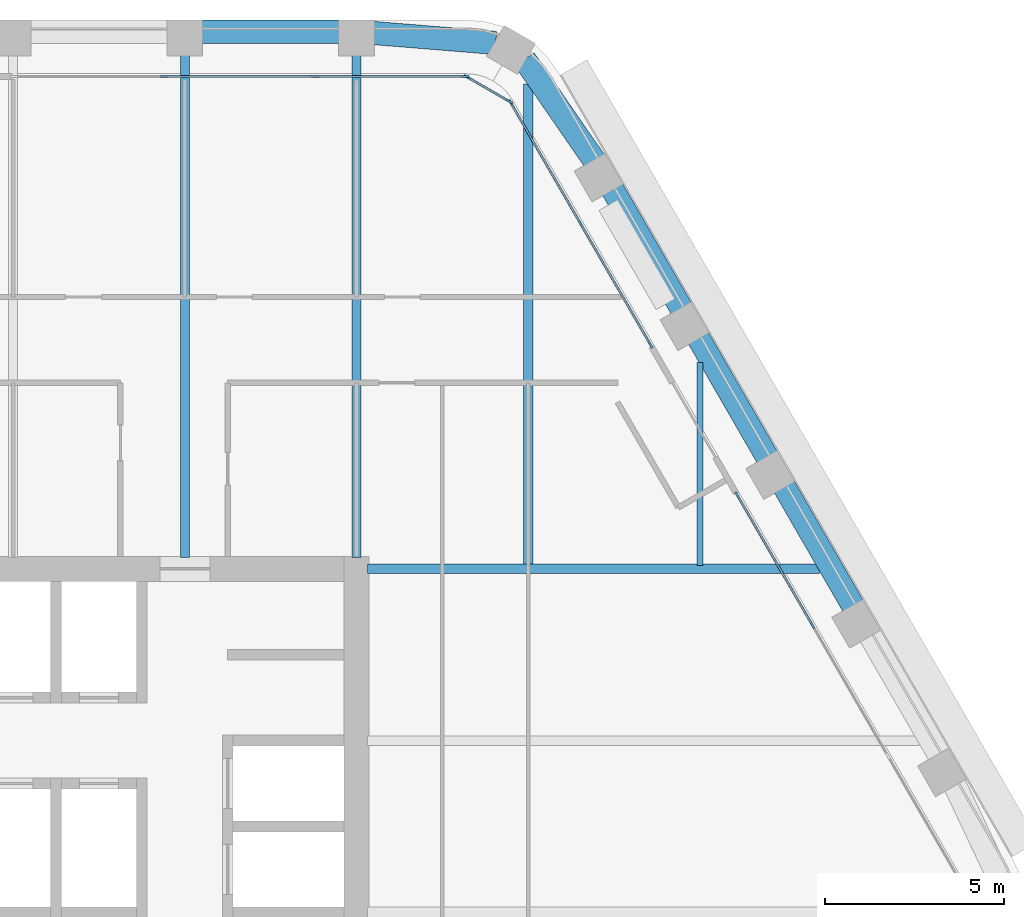
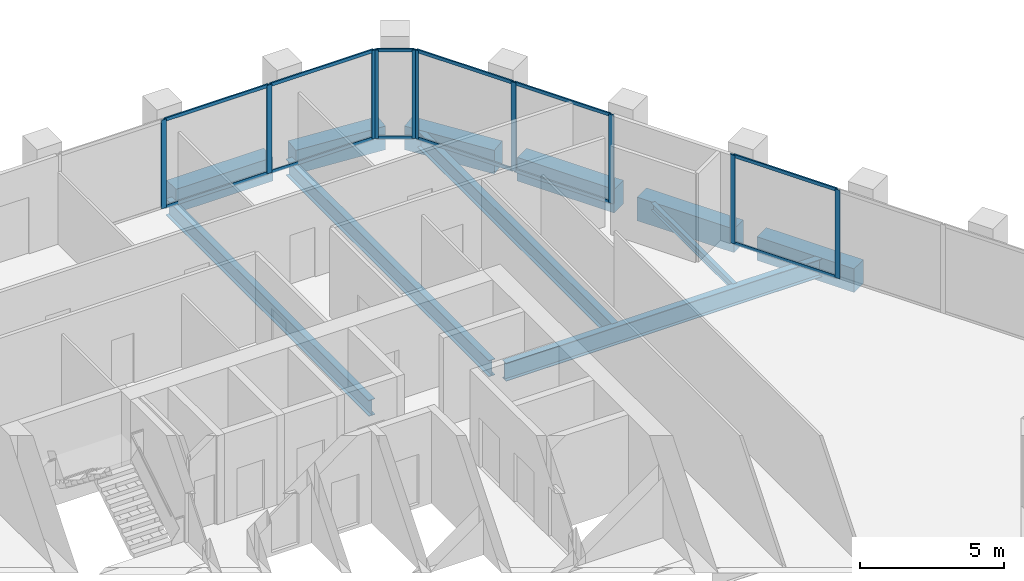
# One storey, part 6 of 15: 22 members, 11 beams, 4 elements without a shape of their own.
"""IFC4 building model written with IfcOpenShell, lengths in metres."""

from ifc_helpers import new_model, si_unit, direction, frame, origin, origin_2d, place, context, subcontext, project, spatial, rectangle, i_section, extrude, material, material_profile, profile_set, type_object, element, aggregate, save


model = new_model("IFC4")

# Units and contexts
model_context = context("Model", 3, precision=1e-05, world=origin(), true_north=direction((0.0, 1.0)))
body_context = subcontext(model_context, "Body", "Model", "MODEL_VIEW")
ifc_project = project(units=[si_unit("LENGTHUNIT", "METRE"), si_unit("AREAUNIT", "SQUARE_METRE"), si_unit("VOLUMEUNIT", "CUBIC_METRE"), si_unit("PLANEANGLEUNIT", "RADIAN"), si_unit("MASSUNIT", "GRAM", prefix="KILO")], contexts=[model_context])

# Site, building, storey
site_placement = place(None, origin())
site = spatial("IfcSite", under=ifc_project, at=site_placement, CompositionType="ELEMENT")
building_placement = place(site_placement, origin())
building = spatial("IfcBuilding", under=site, at=building_placement, Name="Kolab Exchange Tower", CompositionType="ELEMENT")
storey_placement = place(building_placement, frame((0.0, 0.0, 189.5)))
storey = spatial("IfcBuildingStorey", under=building, at=storey_placement, Name="L40", CompositionType="ELEMENT", Elevation=189.5)

# Beams
ifc_material_1 = material(Name="Steel S355", Category="steel")
ifc_material_profile_1 = material_profile(ifc_material_1, i_section(OverallWidth=0.1650390625, OverallDepth=0.31005859375, WebThickness=0.005859375, FlangeThickness=0.009765625, at=origin_2d()), Name="W310X39")
ifc_profile_set_1 = profile_set([ifc_material_profile_1], Name="Steel S355")
beam_type_1 = type_object("IfcBeamType", Name="FLOOR BEAM W310X39", PredefinedType="BEAM", material=ifc_profile_set_1)
beam_1_placement = place(storey_placement, frame((19.199951171875, 9.693603515625, -0.304931640625), z_axis=(0.0, 1.0, 0.0), x_axis=(-1.0, 0.0, 0.0)))
element("IfcBeam", 1, at=beam_1_placement, inside=storey, type_object=beam_type_1, Name="beam/L40/fr/023", PredefinedType="BEAM", context=body_context, shape_type="SweptSolid", body=[
    extrude(i_section(OverallWidth=0.1650390625, OverallDepth=0.31005859375, WebThickness=0.005859375, FlangeThickness=0.009765625, at=origin_2d()), origin(), (0.0, 0.0, 1.0), 5.674072265625),
])
ifc_material_profile_2 = material_profile(ifc_material_1, i_section(OverallWidth=0.25390625, OverallDepth=0.68408203125, WebThickness=0.012451171875, FlangeThickness=0.018798828125, at=origin_2d()), Name="W690X140")
ifc_profile_set_2 = profile_set([ifc_material_profile_2], Name="Steel S355")
beam_type_2 = type_object("IfcBeamType", Name="FLOOR BEAM W690X140", PredefinedType="BEAM", material=ifc_profile_set_2)
for number, where, z_axis, x_axis, name in (
    (2, (4.800048828125, 9.909912109375, -0.491943359375), (0.0, 1.0, 0.0), (-1.0, 0.0, 0.0), "beam/L40/fr/014"),
    (3, (9.60009765625, 9.909912109375, -0.491943359375), (0.0, 1.0, 0.0), (-1.0, 0.0, 0.0), "beam/L40/fr/016"),
):
    element("IfcBeam", number, at=place(storey_placement, frame(where, z_axis=z_axis, x_axis=x_axis)), inside=storey, type_object=beam_type_2, Name=name, PredefinedType="BEAM", context=body_context, shape_type="SweptSolid", body=[
        extrude(i_section(OverallWidth=0.25390625, OverallDepth=0.68408203125, WebThickness=0.012451171875, FlangeThickness=0.018798828125, at=origin_2d()), origin(), (0.0, 0.0, 1.0), 14.071533203125),
    ])
beam_2_placement = place(storey_placement, frame((14.39990234375, 9.693603515625, -0.491943359375), z_axis=(0.0, 1.0, 0.0), x_axis=(-1.0, 0.0, 0.0)))
element("IfcBeam", 4, at=beam_2_placement, inside=storey, type_object=beam_type_2, Name="beam/L40/fr/021", PredefinedType="BEAM", context=body_context, shape_type="SweptSolid", body=[
    extrude(i_section(OverallWidth=0.25390625, OverallDepth=0.68408203125, WebThickness=0.012451171875, FlangeThickness=0.018798828125, at=origin_2d()), origin(), (0.0, 0.0, 1.0), 13.462158203125),
])
ifc_material_profile_3 = material_profile(ifc_material_1, i_section(OverallWidth=0.26708984375, OverallDepth=0.761962890625, WebThickness=0.014404296875, FlangeThickness=0.021484375, at=origin_2d()), Name="W760X173")
ifc_profile_set_3 = profile_set([ifc_material_profile_3], Name="Steel S355")
beam_type_3 = type_object("IfcBeamType", Name="FLOOR GIRDER W760X173", PredefinedType="BEAM", material=ifc_profile_set_3)
beam_3_placement = place(storey_placement, frame((9.909912109375, 9.60009765625, -0.531005859375), z_axis=(1.0, 0.0, 0.0), x_axis=(0.0, 1.0, 0.0)))
element("IfcBeam", 5, at=beam_3_placement, inside=storey, type_object=beam_type_3, Name="beam/L40/gd/003", PredefinedType="BEAM", context=body_context, shape_type="SweptSolid", body=[
    extrude(i_section(OverallWidth=0.26708984375, OverallDepth=0.761962890625, WebThickness=0.014404296875, FlangeThickness=0.021484375, at=origin_2d()), origin(), (0.0, 0.0, 1.0), 12.636962890625),
])
ifc_material_2 = material(Name="Concrete C60/75", Category="concrete")
ifc_material_profile_4 = material_profile(ifc_material_2, rectangle(XDim=0.64990234375, YDim=1.0, at=origin_2d()), Name="RC650X1000")
ifc_profile_set_4 = profile_set([ifc_material_profile_4], Name="Concrete C60/75")
beam_type_4 = type_object("IfcBeamType", Name="SPANDREL BEAM 650X1000 C60/75", PredefinedType="BEAM", material=ifc_profile_set_4)
beam_4_placement = place(storey_placement, frame((5.260009765625, 24.616455078125, -0.64990234375), z_axis=(1.0, 0.0, 0.0), x_axis=(0.0, 1.0, 0.0)))
element("IfcBeam", 6, at=beam_4_placement, inside=storey, type_object=beam_type_4, Name="beam/L40/sp/F1-05", PredefinedType="BEAM", context=body_context, shape_type="SweptSolid", body=[
    extrude(rectangle(XDim=0.64990234375, YDim=1.0, at=origin_2d()), origin(), (0.0, 0.0, 1.0), 3.8798828125),
])
for number, where, z_axis, x_axis, name in (
    (7, (10.06005859375, 24.5791015625, -0.64990234375), (0.996708497182, -0.081068931445, 0.0), (0.081068931445, 0.996708497182, 0.0), "beam/L40/sp/F1-06"),
    (8, (14.29736328125, 23.8359375, -0.64990234375), (0.568572281073, -0.822633309073, 0.0), (0.822633309073, 0.568572281073, 0.0), "beam/L40/sp/F2-01"),
):
    element("IfcBeam", number, at=place(storey_placement, frame(where, z_axis=z_axis, x_axis=x_axis)), inside=storey, type_object=beam_type_4, Name=name, PredefinedType="BEAM", context=body_context, shape_type="SweptSolid", body=[
        extrude(rectangle(XDim=0.64990234375, YDim=1.0, at=origin_2d()), origin(), (0.0, 0.0, 1.0), 3.445068359375),
    ])
beam_5_placement = place(storey_placement, frame((16.74853515625, 20.2236328125, -0.64990234375), z_axis=(0.499996613652, -0.866027358884, 0.0), x_axis=(0.866027358884, 0.499996613652, 0.0)))
element("IfcBeam", 9, at=beam_5_placement, inside=storey, type_object=beam_type_4, Name="beam/L40/sp/F2-02", PredefinedType="BEAM", context=body_context, shape_type="SweptSolid", body=[
    extrude(rectangle(XDim=0.64990234375, YDim=1.0, at=origin_2d()), origin(), (0.0, 0.0, 1.0), 3.8798828125),
])
beam_6_placement = place(storey_placement, frame((19.1484375, 16.06689453125, -0.64990234375), z_axis=(0.50001655835, -0.866015843605, 0.0), x_axis=(0.866015843605, 0.50001655835, 0.0)))
element("IfcBeam", 10, at=beam_6_placement, inside=storey, type_object=beam_type_4, Name="beam/L40/sp/F2-03", PredefinedType="BEAM", context=body_context, shape_type="SweptSolid", body=[
    extrude(rectangle(XDim=0.64990234375, YDim=1.0, at=origin_2d()), origin(), (0.0, 0.0, 1.0), 3.880126953125),
])
beam_7_placement = place(storey_placement, frame((21.548583984375, 11.909912109375, -0.64990234375), z_axis=(0.499996613652, -0.866027358884, 0.0), x_axis=(0.866027358884, 0.499996613652, 0.0)))
element("IfcBeam", 11, at=beam_7_placement, inside=storey, type_object=beam_type_4, Name="beam/L40/sp/F2-04", PredefinedType="BEAM", context=body_context, shape_type="SweptSolid", body=[
    extrude(rectangle(XDim=0.64990234375, YDim=1.0, at=origin_2d()), origin(), (0.0, 0.0, 1.0), 3.8798828125),
])

# Curtain wall, members
ifc_material_3 = material(Name="Aluminium EN AW-6063 T6", Category="aluminium")
curtain_wall_type = type_object("IfcCurtainWallType", Name="UNITISED UPPER MID ZONE CURTAIN WALL", PredefinedType="NOTDEFINED", material=ifc_material_3)
curtain_wall_1_placement = place(storey_placement, origin())
curtain_wall_1 = element("IfcCurtainWall", 12, at=curtain_wall_1_placement, inside=storey, type_object=curtain_wall_type, Name="cw/L40/F1-2", PredefinedType="NOTDEFINED")
ifc_material_profile_5 = material_profile(ifc_material_3, rectangle(XDim=0.06005859375, YDim=0.199951171875, at=origin_2d()), Name="RECT 60X200")
ifc_profile_set_5 = profile_set([ifc_material_profile_5], Name="Aluminium EN AW-6063 T6")
member_type_1 = type_object("IfcMemberType", Name="UNITISED UPPER MID ZONE MULLION 60 X 200", PredefinedType="MULLION", material=ifc_profile_set_5)
member_1_placement = place(storey_placement, frame((4.22265625, 23.361572265625, 0.0), z_axis=(0.0, 0.0, 1.0), x_axis=(0.0, 1.0, 0.0)))
member_1 = element("IfcMember", 13, at=member_1_placement, type_object=member_type_1, Name="CW3 mullion 2", PredefinedType="MULLION", context=body_context, shape_type="SweptSolid", body=[
    extrude(rectangle(XDim=0.06005859375, YDim=0.199951171875, at=origin_2d()), origin(), (0.0, 0.0, 1.0), 3.75),
])
member_2_placement = place(storey_placement, frame((8.4453125, 23.361572265625, 0.0), z_axis=(0.0, 0.0, 1.0), x_axis=(0.0, 1.0, 0.0)))
member_2 = element("IfcMember", 14, at=member_2_placement, type_object=member_type_1, Name="CW3 mullion 3", PredefinedType="MULLION", context=body_context, shape_type="SweptSolid", body=[
    extrude(rectangle(XDim=0.06005859375, YDim=0.199951171875, at=origin_2d()), origin(), (0.0, 0.0, 1.0), 3.75),
])
member_3_placement = place(storey_placement, frame((12.637939453125, 23.361572265625, 0.0), z_axis=(0.0, 0.0, 1.0), x_axis=(0.0, 1.0, 0.0)))
member_3 = element("IfcMember", 15, at=member_3_placement, type_object=member_type_1, Name="CW3 mullion 4", PredefinedType="MULLION", context=body_context, shape_type="SweptSolid", body=[
    extrude(rectangle(XDim=0.06005859375, YDim=0.199951171875, at=origin_2d()), origin(), (0.0, 0.0, 1.0), 3.75),
])

curtain_wall_2_placement = place(storey_placement, origin())
curtain_wall_2 = element("IfcCurtainWall", 16, at=curtain_wall_2_placement, inside=storey, type_object=curtain_wall_type, Name="cw/L40/F2-1", PredefinedType="NOTDEFINED")
member_4_placement = place(storey_placement, frame((13.91259765625, 22.62548828125, 0.0), z_axis=(0.0, 0.0, 1.0), x_axis=(0.866025385493, 0.500000031681, 0.0)))
member_4 = element("IfcMember", 17, at=member_4_placement, type_object=member_type_1, Name="CW3 mullion 1", PredefinedType="MULLION", context=body_context, shape_type="SweptSolid", body=[
    extrude(rectangle(XDim=0.06005859375, YDim=0.199951171875, at=origin_2d()), origin(), (0.0, 0.0, 1.0), 3.75),
])
member_5_placement = place(storey_placement, frame((15.86474609375, 19.24462890625, 0.0), z_axis=(0.0, 0.0, 1.0), x_axis=(0.866025385493, 0.500000031681, 0.0)))
member_5 = element("IfcMember", 18, at=member_5_placement, type_object=member_type_1, Name="CW3 mullion 2", PredefinedType="MULLION", context=body_context, shape_type="SweptSolid", body=[
    extrude(rectangle(XDim=0.06005859375, YDim=0.199951171875, at=origin_2d()), origin(), (0.0, 0.0, 1.0), 3.75),
])
member_6_placement = place(storey_placement, frame((17.816650390625, 15.86376953125, 0.0), z_axis=(0.0, 0.0, 1.0), x_axis=(0.866025385493, 0.500000031681, 0.0)))
member_6 = element("IfcMember", 19, at=member_6_placement, type_object=member_type_1, Name="CW3 mullion 3", PredefinedType="MULLION", context=body_context, shape_type="SweptSolid", body=[
    extrude(rectangle(XDim=0.06005859375, YDim=0.199951171875, at=origin_2d()), origin(), (0.0, 0.0, 1.0), 3.75),
])

curtain_wall_3_placement = place(storey_placement, origin())
curtain_wall_3 = element("IfcCurtainWall", 20, at=curtain_wall_3_placement, inside=storey, type_object=curtain_wall_type, Name="cw/L40/F2-2", PredefinedType="NOTDEFINED")
member_7_placement = place(storey_placement, frame((20.24658203125, 11.65478515625, 0.0), z_axis=(0.0, 0.0, 1.0), x_axis=(0.866025427826, 0.499999958358, 0.0)))
member_7 = element("IfcMember", 21, at=member_7_placement, type_object=member_type_1, Name="CW3 mullion 1", PredefinedType="MULLION", context=body_context, shape_type="SweptSolid", body=[
    extrude(rectangle(XDim=0.06005859375, YDim=0.199951171875, at=origin_2d()), origin(), (0.0, 0.0, 1.0), 3.75),
])
member_8_placement = place(storey_placement, frame((22.343017578125, 8.02392578125, 0.0), z_axis=(0.0, 0.0, 1.0), x_axis=(0.866025427826, 0.499999958358, 0.0)))
member_8 = element("IfcMember", 22, at=member_8_placement, type_object=member_type_1, Name="CW3 mullion 2", PredefinedType="MULLION", context=body_context, shape_type="SweptSolid", body=[
    extrude(rectangle(XDim=0.06005859375, YDim=0.199951171875, at=origin_2d()), origin(), (0.0, 0.0, 1.0), 3.75),
])

curtain_wall_4_placement = place(storey_placement, origin())
curtain_wall_4 = element("IfcCurtainWall", 23, at=curtain_wall_4_placement, inside=storey, type_object=curtain_wall_type, Name="cw/L40/F1F2-corner", PredefinedType="NOTDEFINED")
member_9_placement = place(storey_placement, frame((12.69384765625, 23.346435546875, 0.0), z_axis=(0.0, 0.0, 1.0), x_axis=(0.50000002237, 0.866025390869, 0.0)))
member_9 = element("IfcMember", 24, at=member_9_placement, type_object=member_type_1, Name="CW3 mullion 1", PredefinedType="MULLION", context=body_context, shape_type="SweptSolid", body=[
    extrude(rectangle(XDim=0.06005859375, YDim=0.199951171875, at=origin_2d()), origin(), (0.0, 0.0, 1.0), 3.75),
])
member_10_placement = place(storey_placement, frame((13.871826171875, 22.66650390625, 0.0), z_axis=(0.0, 0.0, 1.0), x_axis=(0.50000002237, 0.866025390869, 0.0)))
member_10 = element("IfcMember", 25, at=member_10_placement, type_object=member_type_1, Name="CW3 mullion 2", PredefinedType="MULLION", context=body_context, shape_type="SweptSolid", body=[
    extrude(rectangle(XDim=0.06005859375, YDim=0.199951171875, at=origin_2d()), origin(), (0.0, 0.0, 1.0), 3.75),
])

# Member
ifc_material_profile_6 = material_profile(ifc_material_3, rectangle(XDim=0.06005859375, YDim=0.139892578125, at=origin_2d()), Name="RECT 60X140")
ifc_profile_set_6 = profile_set([ifc_material_profile_6], Name="Aluminium EN AW-6063 T6")
member_type_2 = type_object("IfcMemberType", Name="UNITISED UPPER MID ZONE TRANSOM 60 X 140", PredefinedType="USERDEFINED", material=ifc_profile_set_6)
member_11_placement = place(storey_placement, frame((4.252685546875, 23.361572265625, 0.030029296875), z_axis=(1.0, 0.0, 0.0), x_axis=(0.0, 1.0, 0.0)))
member_11 = element("IfcMember", 26, at=member_11_placement, type_object=member_type_2, Name="CW3 transom 2.1", ObjectType="TRANSOM", PredefinedType="USERDEFINED", context=body_context, shape_type="SweptSolid", body=[
    extrude(rectangle(XDim=0.06005859375, YDim=0.139892578125, at=origin_2d()), origin(), (0.0, 0.0, 1.0), 4.16259765625),
])

member_12_placement = place(storey_placement, frame((4.252685546875, 23.361572265625, 3.719970703125), z_axis=(1.0, 0.0, 0.0), x_axis=(0.0, 1.0, 0.0)))
member_12 = element("IfcMember", 27, at=member_12_placement, type_object=member_type_2, Name="CW3 transom 2.2", ObjectType="TRANSOM", PredefinedType="USERDEFINED", context=body_context, shape_type="SweptSolid", body=[
    extrude(rectangle(XDim=0.06005859375, YDim=0.139892578125, at=origin_2d()), origin(), (0.0, 0.0, 1.0), 4.16259765625),
])

member_13_placement = place(storey_placement, frame((8.475341796875, 23.361572265625, 0.030029296875), z_axis=(1.0, 0.0, 0.0), x_axis=(0.0, 1.0, 0.0)))
member_13 = element("IfcMember", 28, at=member_13_placement, type_object=member_type_2, Name="CW3 transom 3.1", ObjectType="TRANSOM", PredefinedType="USERDEFINED", context=body_context, shape_type="SweptSolid", body=[
    extrude(rectangle(XDim=0.06005859375, YDim=0.139892578125, at=origin_2d()), origin(), (0.0, 0.0, 1.0), 4.132568359375),
])

member_14_placement = place(storey_placement, frame((8.475341796875, 23.361572265625, 3.719970703125), z_axis=(1.0, 0.0, 0.0), x_axis=(0.0, 1.0, 0.0)))
member_14 = element("IfcMember", 29, at=member_14_placement, type_object=member_type_2, Name="CW3 transom 3.2", ObjectType="TRANSOM", PredefinedType="USERDEFINED", context=body_context, shape_type="SweptSolid", body=[
    extrude(rectangle(XDim=0.06005859375, YDim=0.139892578125, at=origin_2d()), origin(), (0.0, 0.0, 1.0), 4.132568359375),
])

aggregate(curtain_wall_1, [member_1, member_2, member_3, member_11, member_12, member_13, member_14])

member_15_placement = place(storey_placement, frame((13.927734375, 22.599609375, 0.030029296875), z_axis=(0.499964356602, -0.866045981532, 0.0), x_axis=(0.866045981532, 0.499964356602, 0.0)))
member_15 = element("IfcMember", 30, at=member_15_placement, type_object=member_type_2, Name="CW3 transom 1.1", ObjectType="TRANSOM", PredefinedType="USERDEFINED", context=body_context, shape_type="SweptSolid", body=[
    extrude(rectangle(XDim=0.06005859375, YDim=0.139892578125, at=origin_2d()), origin(), (0.0, 0.0, 1.0), 3.843994140625),
])

member_16_placement = place(storey_placement, frame((13.927734375, 22.599609375, 3.719970703125), z_axis=(0.499964356602, -0.866045981532, 0.0), x_axis=(0.866045981532, 0.499964356602, 0.0)))
member_16 = element("IfcMember", 31, at=member_16_placement, type_object=member_type_2, Name="CW3 transom 1.2", ObjectType="TRANSOM", PredefinedType="USERDEFINED", context=body_context, shape_type="SweptSolid", body=[
    extrude(rectangle(XDim=0.06005859375, YDim=0.139892578125, at=origin_2d()), origin(), (0.0, 0.0, 1.0), 3.843994140625),
])

member_17_placement = place(storey_placement, frame((15.879638671875, 19.21875, 0.030029296875), z_axis=(0.500011990396, -0.866018481016, 0.0), x_axis=(0.866018481016, 0.500011990396, 0.0)))
member_17 = element("IfcMember", 32, at=member_17_placement, type_object=member_type_2, Name="CW3 transom 2.1", ObjectType="TRANSOM", PredefinedType="USERDEFINED", context=body_context, shape_type="SweptSolid", body=[
    extrude(rectangle(XDim=0.06005859375, YDim=0.139892578125, at=origin_2d()), origin(), (0.0, 0.0, 1.0), 3.84423828125),
])

member_18_placement = place(storey_placement, frame((15.879638671875, 19.21875, 3.719970703125), z_axis=(0.500011990396, -0.866018481016, 0.0), x_axis=(0.866018481016, 0.500011990396, 0.0)))
member_18 = element("IfcMember", 33, at=member_18_placement, type_object=member_type_2, Name="CW3 transom 2.2", ObjectType="TRANSOM", PredefinedType="USERDEFINED", context=body_context, shape_type="SweptSolid", body=[
    extrude(rectangle(XDim=0.06005859375, YDim=0.139892578125, at=origin_2d()), origin(), (0.0, 0.0, 1.0), 3.84423828125),
])

aggregate(curtain_wall_2, [member_4, member_5, member_6, member_15, member_16, member_17, member_18])

member_19_placement = place(storey_placement, frame((20.26171875, 11.62890625, 0.030029296875), z_axis=(0.500001996123, -0.866024251319, 0.0), x_axis=(0.866024251319, 0.500001996123, 0.0)))
member_19 = element("IfcMember", 34, at=member_19_placement, type_object=member_type_2, Name="CW3 transom 1.1", ObjectType="TRANSOM", PredefinedType="USERDEFINED", context=body_context, shape_type="SweptSolid", body=[
    extrude(rectangle(XDim=0.06005859375, YDim=0.139892578125, at=origin_2d()), origin(), (0.0, 0.0, 1.0), 4.1328125),
])

member_20_placement = place(storey_placement, frame((20.26171875, 11.62890625, 3.719970703125), z_axis=(0.500001996123, -0.866024251319, 0.0), x_axis=(0.866024251319, 0.500001996123, 0.0)))
member_20 = element("IfcMember", 35, at=member_20_placement, type_object=member_type_2, Name="CW3 transom 1.2", ObjectType="TRANSOM", PredefinedType="USERDEFINED", context=body_context, shape_type="SweptSolid", body=[
    extrude(rectangle(XDim=0.06005859375, YDim=0.139892578125, at=origin_2d()), origin(), (0.0, 0.0, 1.0), 4.1328125),
])

aggregate(curtain_wall_3, [member_7, member_8, member_19, member_20])

member_21_placement = place(storey_placement, frame((12.719970703125, 23.33154296875, 0.030029296875), z_axis=(0.86603858612, -0.49997716683, 0.0), x_axis=(0.49997716683, 0.86603858612, 0.0)))
member_21 = element("IfcMember", 36, at=member_21_placement, type_object=member_type_2, Name="CW3 transom 1.1", ObjectType="TRANSOM", PredefinedType="USERDEFINED", context=body_context, shape_type="SweptSolid", body=[
    extrude(rectangle(XDim=0.06005859375, YDim=0.139892578125, at=origin_2d()), origin(), (0.0, 0.0, 1.0), 1.2998046875),
])

member_22_placement = place(storey_placement, frame((12.719970703125, 23.33154296875, 3.719970703125), z_axis=(0.86603858612, -0.49997716683, 0.0), x_axis=(0.49997716683, 0.86603858612, 0.0)))
member_22 = element("IfcMember", 37, at=member_22_placement, type_object=member_type_2, Name="CW3 transom 1.2", ObjectType="TRANSOM", PredefinedType="USERDEFINED", context=body_context, shape_type="SweptSolid", body=[
    extrude(rectangle(XDim=0.06005859375, YDim=0.139892578125, at=origin_2d()), origin(), (0.0, 0.0, 1.0), 1.2998046875),
])

aggregate(curtain_wall_4, [member_9, member_10, member_21, member_22])

save(model, "model.ifc")
